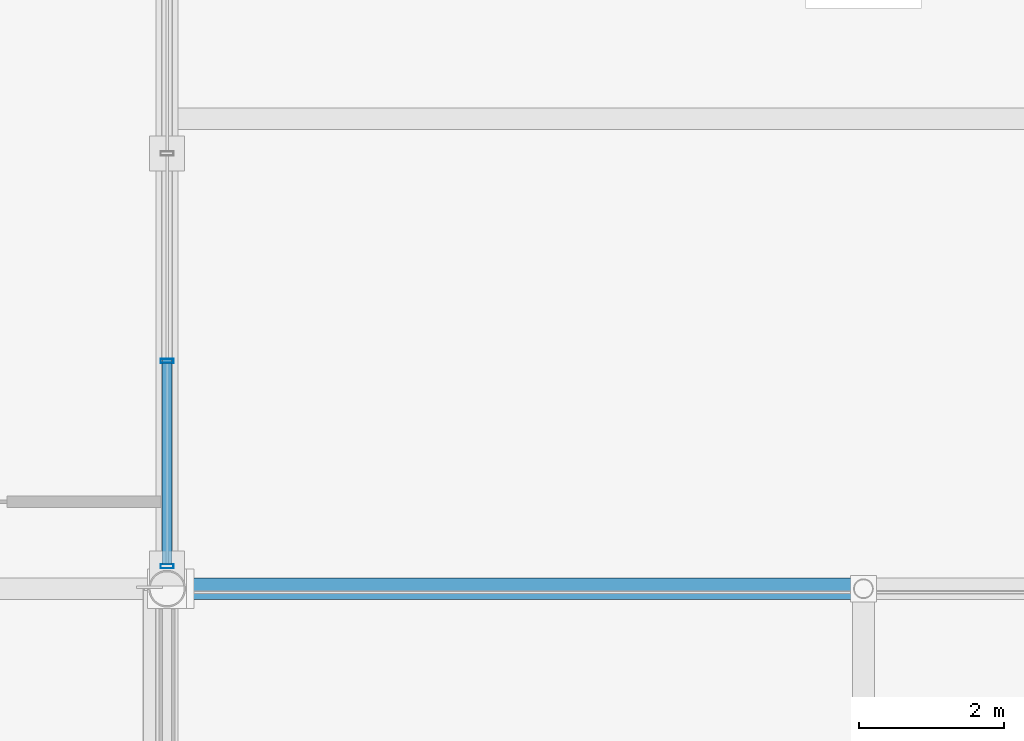
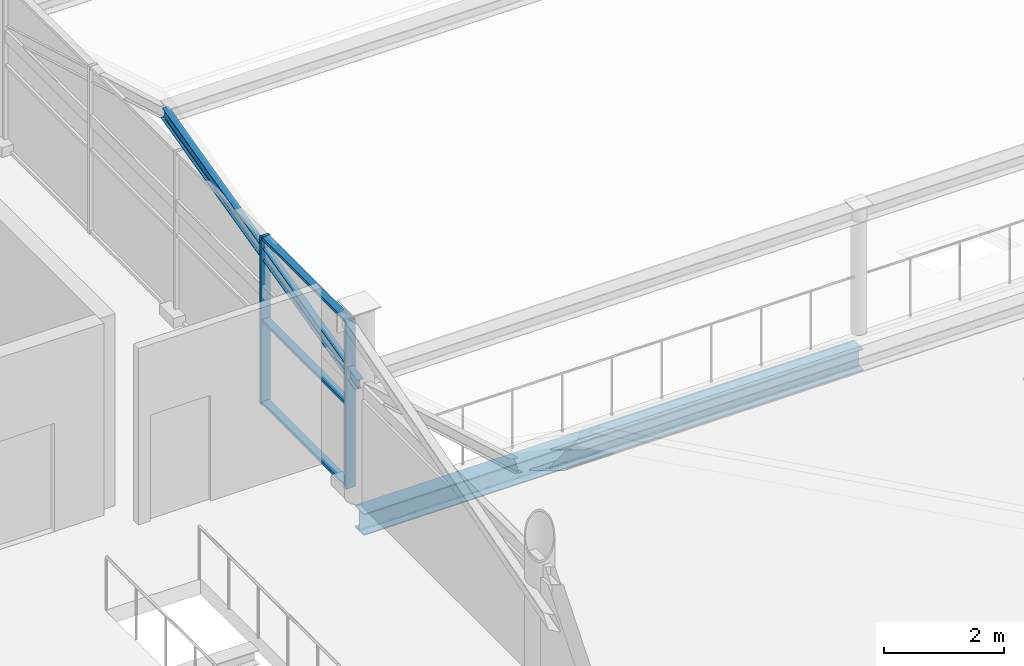
# One storey, part 38 of 117: 6 members, 1 beam, 1 element without a shape of its own.
"""IFC4 building model written with IfcOpenShell, lengths in metres."""

from ifc_helpers import new_model, si_unit, direction, frame, origin, origin_2d, place, context, subcontext, project, spatial, hollow_rectangle, i_section, extrude, material, material_profile, profile_set, type_object, element, aggregate, save


model = new_model("IFC4")

# Units and contexts
model_context = context("Model", 3, precision=1e-05, world=origin(), true_north=direction((0.0, 1.0)))
body_context = subcontext(model_context, "Body", "Model", "MODEL_VIEW")
ifc_project = project(units=[si_unit("LENGTHUNIT", "METRE"), si_unit("AREAUNIT", "SQUARE_METRE"), si_unit("VOLUMEUNIT", "CUBIC_METRE"), si_unit("PLANEANGLEUNIT", "RADIAN"), si_unit("MASSUNIT", "GRAM", prefix="KILO")], contexts=[model_context])

# Site, building, storey
site_placement = place(None, origin())
site = spatial("IfcSite", under=ifc_project, at=site_placement, CompositionType="ELEMENT")
building_placement = place(site_placement, origin())
building = spatial("IfcBuilding", under=site, at=building_placement, Name="Merenkruunu Market Hall", CompositionType="ELEMENT")
storey_placement = place(building_placement, frame((0.0, 0.0, 10.199951171875)))
storey = spatial("IfcBuildingStorey", under=building, at=storey_placement, Name="L02", CompositionType="ELEMENT", Elevation=10.199951171875)

# Curtain wall, members
ifc_material_1 = material(Name="Powder-coated aluminium", Category="aluminium")
curtain_wall_type = type_object("IfcCurtainWallType", Name="Glazed Curtain Wall CW13", PredefinedType="USERDEFINED", material=ifc_material_1)
curtain_wall_placement = place(storey_placement, origin())
curtain_wall = element("IfcCurtainWall", 1, at=curtain_wall_placement, inside=storey, type_object=curtain_wall_type, Name="CW-L02-CWM02-129", ObjectType="GLAZED_FACADE", PredefinedType="USERDEFINED")
ifc_material_profile_1 = material_profile(ifc_material_1, hollow_rectangle(XDim=0.06005859375, YDim=0.179931640625, WallThickness=0.00390625, at=origin_2d()), Name="ALU 60x180x4")
ifc_profile_set_1 = profile_set([ifc_material_profile_1], Name="Powder-coated aluminium")
member_type_1 = type_object("IfcMemberType", Name="Curtain Wall Mullion CWM02", PredefinedType="MULLION", material=ifc_profile_set_1)
member_1_placement = place(storey_placement, frame((57.60009765625, 51.909912109375, 0.0), z_axis=(0.0, 0.0, 1.0), x_axis=(0.0, 1.0, 0.0)))
member_1 = element("IfcMember", 2, at=member_1_placement, type_object=member_type_1, Name="CW13 mullion 1", PredefinedType="MULLION", context=body_context, shape_type="SweptSolid", body=[
    extrude(hollow_rectangle(XDim=0.06005859375, YDim=0.179931640625, WallThickness=0.00390625, at=origin_2d()), origin(), (0.0, 0.0, 1.0), 3.400146484375),
])
member_2_placement = place(storey_placement, frame((57.60009765625, 54.739990234375, 0.0), z_axis=(0.0, 0.0, 1.0), x_axis=(0.0, 1.0, 0.0)))
member_2 = element("IfcMember", 3, at=member_2_placement, type_object=member_type_1, Name="CW13 mullion 2", PredefinedType="MULLION", context=body_context, shape_type="SweptSolid", body=[
    extrude(hollow_rectangle(XDim=0.06005859375, YDim=0.179931640625, WallThickness=0.00390625, at=origin_2d()), origin(), (0.0, 0.0, 1.0), 3.400146484375),
])
ifc_material_profile_2 = material_profile(ifc_material_1, hollow_rectangle(XDim=0.06005859375, YDim=0.139892578125, WallThickness=0.00390625, at=origin_2d()), Name="ALU 60x140x4")
ifc_profile_set_2 = profile_set([ifc_material_profile_2], Name="Powder-coated aluminium")
member_type_2 = type_object("IfcMemberType", Name="Curtain Wall Transom CWT02", PredefinedType="USERDEFINED", material=ifc_profile_set_2)
member_3_placement = place(storey_placement, frame((57.60009765625, 51.93994140625, 0.030029296875), z_axis=(0.0, 1.0, 0.0), x_axis=(0.0, 0.0, 1.0)))
member_3 = element("IfcMember", 4, at=member_3_placement, type_object=member_type_2, Name="CW13 transom 1.1", ObjectType="TRANSOM", PredefinedType="USERDEFINED", context=body_context, shape_type="SweptSolid", body=[
    extrude(hollow_rectangle(XDim=0.06005859375, YDim=0.139892578125, WallThickness=0.00390625, at=origin_2d()), origin(), (0.0, 0.0, 1.0), 2.77001953125),
])
member_4_placement = place(storey_placement, frame((57.60009765625, 51.93994140625, 1.699951171875), z_axis=(0.0, 1.0, 0.0), x_axis=(0.0, 0.0, 1.0)))
member_4 = element("IfcMember", 5, at=member_4_placement, type_object=member_type_2, Name="CW13 transom 1.2", ObjectType="TRANSOM", PredefinedType="USERDEFINED", context=body_context, shape_type="SweptSolid", body=[
    extrude(hollow_rectangle(XDim=0.06005859375, YDim=0.139892578125, WallThickness=0.00390625, at=origin_2d()), origin(), (0.0, 0.0, 1.0), 2.77001953125),
])
member_5_placement = place(storey_placement, frame((57.60009765625, 51.93994140625, 3.3701171875), z_axis=(0.0, 1.0, 0.0), x_axis=(0.0, 0.0, 1.0)))
member_5 = element("IfcMember", 6, at=member_5_placement, type_object=member_type_2, Name="CW13 transom 1.3", ObjectType="TRANSOM", PredefinedType="USERDEFINED", context=body_context, shape_type="SweptSolid", body=[
    extrude(hollow_rectangle(XDim=0.06005859375, YDim=0.139892578125, WallThickness=0.00390625, at=origin_2d()), origin(), (0.0, 0.0, 1.0), 2.77001953125),
])
aggregate(curtain_wall, [member_1, member_2, member_3, member_4, member_5])

# Beam
ifc_material_2 = material(Name="Steel S355J2", Category="steel")
ifc_material_profile_3 = material_profile(ifc_material_2, i_section(OverallWidth=0.300048828125, OverallDepth=0.43994140625, WebThickness=0.011474609375, FlangeThickness=0.02099609375, FilletRadius=0.027099609375, at=origin_2d()), Name="HEA 450")
ifc_profile_set_3 = profile_set([ifc_material_profile_3], Name="Steel S355J2")
beam_type = type_object("IfcBeamType", Name="Primary Floor Girder B07", PredefinedType="BEAM", material=ifc_profile_set_3)
beam_placement = place(storey_placement, frame((57.60009765625, 51.60009765625, -0.489990234375), z_axis=(1.0, 0.0, 0.0), x_axis=(0.0, 1.0, 0.0)))
element("IfcBeam", 7, at=beam_placement, inside=storey, type_object=beam_type, Name="BM-L02-B07-0772", PredefinedType="BEAM", context=body_context, shape_type="SweptSolid", body=[
    extrude(i_section(OverallWidth=0.300048828125, OverallDepth=0.43994140625, WebThickness=0.011474609375, FlangeThickness=0.02099609375, FilletRadius=0.027099609375, at=origin_2d()), origin(), (0.0, 0.0, 1.0), 9.599853515625),
])

# Member
ifc_material_3 = material(Name="Steel S355ML", Category="steel")
ifc_material_profile_4 = material_profile(ifc_material_3, i_section(OverallWidth=0.1201171875, OverallDepth=0.239990234375, WebThickness=0.006103515625, FlangeThickness=0.009765625, FilletRadius=0.014892578125, at=origin_2d()), Name="IPE 240")
ifc_profile_set_4 = profile_set([ifc_material_profile_4], Name="Steel S355ML")
member_type_3 = type_object("IfcMemberType", Name="Roof Purlin Rafter PR02", PredefinedType="PURLIN", material=ifc_profile_set_4)
member_6_placement = place(storey_placement, frame((57.60009765625, 51.60009765625, 2.280029296875), z_axis=(0.0, 0.970839870255, 0.239728901727), x_axis=(-1.0, 0.0, 0.0)))
element("IfcMember", 8, at=member_6_placement, inside=storey, type_object=member_type_3, Name="MEM-V4-SAWR-013", PredefinedType="PURLIN", context=body_context, shape_type="SweptSolid", body=[
    extrude(i_section(OverallWidth=0.1201171875, OverallDepth=0.239990234375, WebThickness=0.006103515625, FlangeThickness=0.009765625, FilletRadius=0.014892578125, at=origin_2d()), origin(), (0.0, 0.0, 1.0), 6.674560546875),
])

save(model, "model.ifc")
